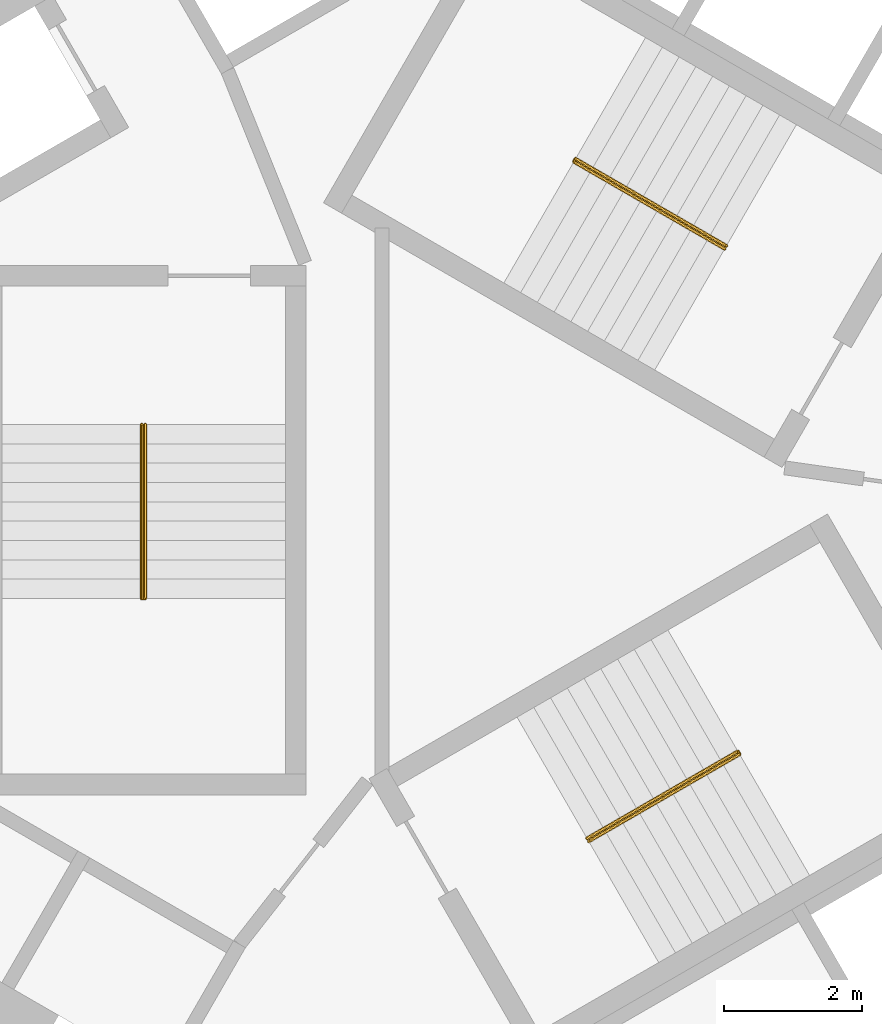
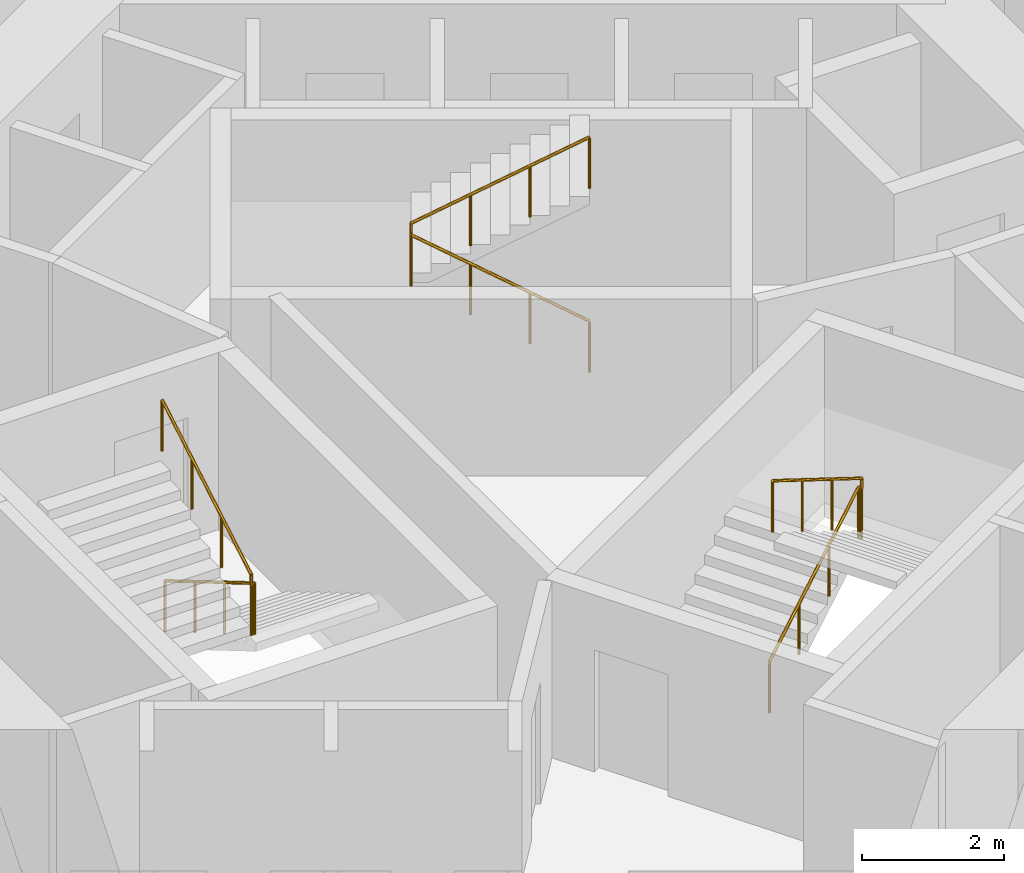
# One storey, part 12 of 12: 3 railings.
"""IFC4 building model written with IfcOpenShell, lengths in metres."""

import ifcopenshell
import ifcopenshell.guid

model = None  # the IFC model being written
_history = None  # IfcOwnerHistory: only IFC2X3 demands one
_inside = {}  # id of a spatial element -> (the spatial element, [elements in it])
_under = {}  # id of a project, library or spatial element -> (it, [spatial elements below it])
_declared = {}  # id of a project -> (the project, [libraries it declares])
_typed = {}  # id of a type object -> (the type object, [elements of that type])
_made_of = {}  # id of a material, layer set ... -> (it, [elements and type objects made of it])


def new_model(schema):
    """Start an empty IFC model of exactly this schema.

    Asked for "IFC4X3", IfcOpenShell would pick the latest addendum, in which some entities
    have other attributes; the version numbers below select the first issue.
    IFC2X3 requires an IfcOwnerHistory on every rooted entity: one is made here for all.
    """
    global model, _history
    if schema == "IFC4X3":
        model = ifcopenshell.file(schema_version=(4, 3, 0, 0))
    else:
        model = ifcopenshell.file(schema=schema)
    _inside.clear()
    _under.clear()
    _declared.clear()
    _typed.clear()
    _made_of.clear()
    _history = None
    if model.schema == "IFC2X3":
        org = make("IfcOrganization", Name="unknown")
        user = make(
            "IfcPersonAndOrganization",
            ThePerson=make("IfcPerson", FamilyName="unknown"),
            TheOrganization=org,
        )
        app = make(
            "IfcApplication",
            ApplicationDeveloper=org,
            Version="unknown",
            ApplicationFullName="unknown",
            ApplicationIdentifier="unknown",
        )
        _history = make(
            "IfcOwnerHistory",
            OwningUser=user,
            OwningApplication=app,
            ChangeAction="ADDED",
            CreationDate=0,
        )
    return model


def make(cls, **values):
    """One entity of the class cls with the attributes given. An attribute that is None is left unset."""
    return model.create_entity(
        cls, **{name: value for name, value in values.items() if value is not None}
    )


def rooted(cls, **values):
    """An entity with a GlobalId (a new one), such as an element, a storey or a relation."""
    return make(cls, GlobalId=ifcopenshell.guid.new(), OwnerHistory=_history, **values)


def si_unit(unit_type, name, prefix=None):
    """IfcSIUnit, for example si_unit("LENGTHUNIT", "METRE", prefix="MILLI")."""
    return make("IfcSIUnit", UnitType=unit_type, Prefix=prefix, Name=name)


def assignment(units):
    """IfcUnitAssignment: the units of a project."""
    return None if units is None else make("IfcUnitAssignment", Units=units)


def point(xyz):
    """IfcCartesianPoint."""
    return None if xyz is None else make("IfcCartesianPoint", Coordinates=xyz)


def direction(xyz):
    """IfcDirection."""
    return None if xyz is None else make("IfcDirection", DirectionRatios=xyz)


def frame(location, z_axis=None, x_axis=None):
    """IfcAxis2Placement3D, a coordinate frame: its origin and axes. An axis left out is left unset."""
    return make(
        "IfcAxis2Placement3D",
        Location=point(location),
        Axis=direction(z_axis),
        RefDirection=direction(x_axis),
    )


def frame_2d(location, x_axis=None):
    """IfcAxis2Placement2D, a coordinate frame in the plane: its origin and x axis."""
    return make(
        "IfcAxis2Placement2D", Location=point(location), RefDirection=direction(x_axis)
    )


def origin():
    """The frame at (0, 0, 0) with its axes left unset."""
    return frame((0.0, 0.0, 0.0))


def origin_2d():
    """The frame at (0, 0) in the plane with its x axis left unset."""
    return frame_2d((0.0, 0.0))


def place(relative_to, where):
    """IfcLocalPlacement: puts the frame where relative to a parent placement (None: the world)."""
    return make(
        "IfcLocalPlacement", PlacementRelTo=relative_to, RelativePlacement=where
    )


def context(
    kind, dimensions, precision=None, world=None, true_north=None, identifier=None
):
    """IfcGeometricRepresentationContext, for example the 3D "Model" context."""
    return make(
        "IfcGeometricRepresentationContext",
        ContextIdentifier=identifier,
        ContextType=kind,
        CoordinateSpaceDimension=dimensions,
        Precision=precision,
        WorldCoordinateSystem=world,
        TrueNorth=true_north,
    )


def subcontext(parent, identifier, kind, view, scale=None):
    """IfcGeometricRepresentationSubContext, for example "Body" below "Model"."""
    return make(
        "IfcGeometricRepresentationSubContext",
        ContextIdentifier=identifier,
        ContextType=kind,
        ParentContext=parent,
        TargetScale=scale,
        TargetView=view,
    )


def project(units=None, contexts=None):
    """IfcProject with its units and contexts."""
    return rooted(
        "IfcProject",
        Name="project",
        RepresentationContexts=contexts,
        UnitsInContext=assignment(units),
    )


def spatial(cls, under=None, at=None, **own):
    """A site, building, storey or space (cls), placed at a placement, below another one or the project."""
    s = rooted(cls, ObjectPlacement=at, **own)
    if under is not None:
        _under.setdefault(under.id(), (under, []))[1].append(s)
    return s


def profile(cls, at=None, kind="AREA", **sizes):
    """A parametric profile (cls). Its sizes go by their IFC names, for example OverallWidth=200.0."""
    return make(cls, ProfileType=kind, Position=at, **sizes)


def circle(**sizes):
    """IfcCircleProfileDef."""
    return profile("IfcCircleProfileDef", **sizes)


def extrude(swept, where, along, depth):
    """IfcExtrudedAreaSolid: the profile swept, set in the frame where, extruded along a direction by depth."""
    return make(
        "IfcExtrudedAreaSolid",
        SweptArea=swept,
        Position=where,
        ExtrudedDirection=direction(along),
        Depth=depth,
    )


def shape(context_of_items, identifier, shape_type, items):
    """IfcShapeRepresentation: the items that make up one representation, for example the "Body"."""
    return make(
        "IfcShapeRepresentation",
        ContextOfItems=context_of_items,
        RepresentationIdentifier=identifier,
        RepresentationType=shape_type,
        Items=items,
    )


def material(Name=None, Category=None):
    """IfcMaterial."""
    return make("IfcMaterial", Name=Name, Category=Category)


def made_of(thing, what):
    """Note that an element or type object is made of a material, layer set ...; save() writes the relation."""
    if what is not None:
        _made_of.setdefault(what.id(), (what, []))[1].append(thing)
    return thing


def type_object(cls, material=None, **own):
    """A type object (cls), such as IfcWallType, which elements share."""
    return made_of(rooted(cls, **own), material)


def element(
    cls,
    number,
    at=None,
    inside=None,
    cuts=None,
    type_object=None,
    material=None,
    context=None,
    identifier="Body",
    shape_type=None,
    held_by="IfcProductDefinitionShape",
    body=None,
    shapes=None,
    **own,
):
    """One element of the class cls, such as IfcWall. Its Tag is "e" and its number.

    at: its placement. inside: the storey or other place that contains it. cuts: it is an
    opening in that element (IfcRelVoidsElement). A single representation is given by context,
    identifier, shape_type and body (its items); several are given by shapes. held_by: the class
    of the entity that holds the representations. save() writes the other relations.
    """
    e = rooted(cls, Tag="e%d" % number, ObjectPlacement=at, **own)
    if body is not None:
        shapes = [shape(context, identifier, shape_type, body)]
    if shapes is not None:
        e.Representation = make(held_by, Representations=shapes)
    if inside is not None:
        _inside.setdefault(inside.id(), (inside, []))[1].append(e)
    if cuts is not None:
        rooted(
            "IfcRelVoidsElement", RelatingBuildingElement=cuts, RelatedOpeningElement=e
        )
    if type_object is not None:
        _typed.setdefault(type_object.id(), (type_object, []))[1].append(e)
    return made_of(e, material)


def aggregate(whole, parts):
    """IfcRelAggregates: a whole, such as a stair, and the parts it consists of."""
    return rooted("IfcRelAggregates", RelatingObject=whole, RelatedObjects=parts)


def save(model, path):
    """Write the relations noted so far, then the file.

    IfcRelAggregates (storeys below a building ...), IfcRelContainedInSpatialStructure (elements
    in a storey), IfcRelDefinesByType, IfcRelAssociatesMaterial and IfcRelDeclares: one each for
    every whole, place, type object, material and project.
    """
    for whole, parts in _under.values():
        aggregate(whole, parts)
    for where, things in _inside.values():
        rooted(
            "IfcRelContainedInSpatialStructure",
            RelatedElements=things,
            RelatingStructure=where,
        )
    for kind, things in _typed.values():
        rooted("IfcRelDefinesByType", RelatedObjects=things, RelatingType=kind)
    for what, things in _made_of.values():
        rooted("IfcRelAssociatesMaterial", RelatedObjects=things, RelatingMaterial=what)
    for by, libraries in _declared.values():
        rooted("IfcRelDeclares", RelatingContext=by, RelatedDefinitions=libraries)
    model.write(path)


model = new_model("IFC4")

# Units and contexts
model_context = context("Model", 3, precision=1e-05, world=origin(), true_north=direction((0.0, 1.0)))
body_context = subcontext(model_context, "Body", "Model", "MODEL_VIEW")
ifc_project = project(units=[si_unit("LENGTHUNIT", "METRE"), si_unit("AREAUNIT", "SQUARE_METRE"), si_unit("VOLUMEUNIT", "CUBIC_METRE"), si_unit("PLANEANGLEUNIT", "RADIAN"), si_unit("MASSUNIT", "GRAM", prefix="KILO")], contexts=[model_context])

# Site, building, storey
site_placement = place(None, origin())
site = spatial("IfcSite", under=ifc_project, at=site_placement, CompositionType="ELEMENT")
building_placement = place(site_placement, origin())
building = spatial("IfcBuilding", under=site, at=building_placement, Name="Vanh Sen Convention Tower", CompositionType="ELEMENT")
storey_placement = place(building_placement, frame((0.0, 0.0, 57.199951171875)))
storey = spatial("IfcBuildingStorey", under=building, at=storey_placement, Name="L11", CompositionType="ELEMENT", Elevation=57.199951171875)

# Railings
ifc_material = material(Name="Stainless steel handrail", Category="steel")
railing_type = type_object("IfcRailingType", Name="Stair handrail 900", PredefinedType="HANDRAIL", material=ifc_material)
railing_1_placement = place(storey_placement, frame((3.45849609375, 3.690185546875, 0.1650390625)))
element("IfcRailing", 1, at=railing_1_placement, inside=storey, type_object=railing_type, Name="Stair handrail ST1 L11", PredefinedType="HANDRAIL", context=body_context, shape_type="SweptSolid", body=[
    extrude(circle(Radius=0.02392578125, at=origin_2d()), frame((0.0, 0.0, 0.8759765625), z_axis=(-0.746134546661, 0.430738299252, 0.507688640642), x_axis=(-0.499962843328, -0.866046855136, 0.0)), (0.0, 0.0, 1.0), 2.92529296875),
    extrude(circle(Radius=0.02392578125, at=origin_2d()), frame((-2.1826171875, 1.260009765625, 2.36083984375), z_axis=(0.502959906984, 0.86430974307, 0.0), x_axis=(-0.86430974307, 0.502959906984, 0.0)), (0.0, 0.0, 1.0), 0.050048828125),
    extrude(circle(Radius=0.02392578125, at=origin_2d()), frame((-2.157470703125, 1.30322265625, 2.36083984375), z_axis=(0.0, 0.0, 1.0), x_axis=(1.0, 0.0, 0.0)), (0.0, 0.0, 1.0), 0.164794921875),
    extrude(circle(Radius=0.02392578125, at=origin_2d()), frame((-2.157470703125, 1.30322265625, 2.52587890625), z_axis=(0.746097546679, -0.430765123438, 0.507720256902), x_axis=(0.500004791531, 0.866022637375, 0.0)), (0.0, 0.0, 1.0), 2.925048828125),
    extrude(circle(Radius=0.02099609375, at=origin_2d()), origin(), (0.0, 0.0, 1.0), 0.851806640625),
    extrude(circle(Radius=0.02099609375, at=origin_2d()), frame((-0.7275390625, 0.419921875, 0.4951171875)), (0.0, 0.0, 1.0), 0.851806640625),
    extrude(circle(Radius=0.02099609375, at=origin_2d()), frame((-1.455078125, 0.840087890625, 0.989990234375)), (0.0, 0.0, 1.0), 0.851806640625),
    extrude(circle(Radius=0.02099609375, at=origin_2d()), frame((-2.1826171875, 1.260009765625, 1.485107421875)), (0.0, 0.0, 1.0), 0.851806640625),
    extrude(circle(Radius=0.02099609375, at=origin_2d()), frame((-2.157470703125, 1.30322265625, 1.485107421875)), (0.0, 0.0, 1.0), 0.851806640625),
    extrude(circle(Radius=0.02099609375, at=origin_2d()), frame((-2.157470703125, 1.30322265625, 1.64990234375)), (0.0, 0.0, 1.0), 0.851806640625),
    extrude(circle(Radius=0.02099609375, at=origin_2d()), frame((-1.429931640625, 0.88330078125, 2.14501953125)), (0.0, 0.0, 1.0), 0.851806640625),
    extrude(circle(Radius=0.02099609375, at=origin_2d()), frame((-0.70263671875, 0.463134765625, 2.639892578125)), (0.0, 0.0, 1.0), 0.851806640625),
    extrude(circle(Radius=0.02099609375, at=origin_2d()), frame((0.02490234375, 0.043212890625, 3.135009765625)), (0.0, 0.0, 1.0), 0.851806640625),
])
railing_2_placement = place(storey_placement, frame((-4.925048828125, 1.14990234375, 0.1650390625)))
element("IfcRailing", 2, at=railing_2_placement, inside=storey, type_object=railing_type, Name="Stair handrail ST2 L11", PredefinedType="HANDRAIL", context=body_context, shape_type="SweptSolid", body=[
    extrude(circle(Radius=0.02392578125, at=origin_2d()), frame((0.0, 0.0, 0.8759765625), z_axis=(0.0, -0.86152411907, 0.507716645641), x_axis=(1.0, 0.0, 0.0)), (0.0, 0.0, 1.0), 2.925048828125),
    extrude(circle(Radius=0.02392578125, at=origin_2d()), frame((0.0, -2.52001953125, 2.36083984375), z_axis=(-1.0, 0.0, 0.0), x_axis=(0.0, -1.0, 0.0)), (0.0, 0.0, 1.0), 0.050048828125),
    extrude(circle(Radius=0.02392578125, at=origin_2d()), frame((-0.050048828125, -2.52001953125, 2.36083984375), z_axis=(0.0, 0.0, 1.0), x_axis=(1.0, 0.0, 0.0)), (0.0, 0.0, 1.0), 0.164794921875),
    extrude(circle(Radius=0.02392578125, at=origin_2d()), frame((-0.050048828125, -2.52001953125, 2.52587890625), z_axis=(0.0, 0.86152411907, 0.507716645641), x_axis=(-1.0, 0.0, 0.0)), (0.0, 0.0, 1.0), 2.925048828125),
    extrude(circle(Radius=0.02099609375, at=origin_2d()), origin(), (0.0, 0.0, 1.0), 0.851806640625),
    extrude(circle(Radius=0.02099609375, at=origin_2d()), frame((0.0, -0.840087890625, 0.4951171875)), (0.0, 0.0, 1.0), 0.851806640625),
    extrude(circle(Radius=0.02099609375, at=origin_2d()), frame((0.0, -1.679931640625, 0.989990234375)), (0.0, 0.0, 1.0), 0.851806640625),
    extrude(circle(Radius=0.02099609375, at=origin_2d()), frame((0.0, -2.52001953125, 1.485107421875)), (0.0, 0.0, 1.0), 0.851806640625),
    extrude(circle(Radius=0.02099609375, at=origin_2d()), frame((-0.050048828125, -2.52001953125, 1.485107421875)), (0.0, 0.0, 1.0), 0.851806640625),
    extrude(circle(Radius=0.02099609375, at=origin_2d()), frame((-0.050048828125, -2.52001953125, 1.64990234375)), (0.0, 0.0, 1.0), 0.851806640625),
    extrude(circle(Radius=0.02099609375, at=origin_2d()), frame((-0.050048828125, -1.679931640625, 2.14501953125)), (0.0, 0.0, 1.0), 0.851806640625),
    extrude(circle(Radius=0.02099609375, at=origin_2d()), frame((-0.050048828125, -0.840087890625, 2.639892578125)), (0.0, 0.0, 1.0), 0.851806640625),
    extrude(circle(Radius=0.02099609375, at=origin_2d()), frame((-0.050048828125, 0.0, 3.135009765625)), (0.0, 0.0, 1.0), 0.851806640625),
])
railing_3_placement = place(storey_placement, frame((1.466552734375, -4.840087890625, 0.1650390625)))
element("IfcRailing", 3, at=railing_3_placement, inside=storey, type_object=railing_type, Name="Stair handrail ST3 L11", PredefinedType="HANDRAIL", context=body_context, shape_type="SweptSolid", body=[
    extrude(circle(Radius=0.02392578125, at=origin_2d()), frame((0.0, 0.0, 0.8759765625), z_axis=(0.746097546679, 0.430765123438, 0.507720256902), x_axis=(-0.500004791531, 0.866022637375, 0.0)), (0.0, 0.0, 1.0), 2.925048828125),
    extrude(circle(Radius=0.02392578125, at=origin_2d()), frame((2.182373046875, 1.260009765625, 2.36083984375), z_axis=(0.500844580232, -0.86553723574, 0.0), x_axis=(0.86553723574, 0.500844580232, 0.0)), (0.0, 0.0, 1.0), 0.05029296875),
    extrude(circle(Radius=0.02392578125, at=origin_2d()), frame((2.20751953125, 1.216552734375, 2.36083984375), z_axis=(0.0, 0.0, 1.0), x_axis=(1.0, 0.0, 0.0)), (0.0, 0.0, 1.0), 0.164794921875),
    extrude(circle(Radius=0.02392578125, at=origin_2d()), frame((2.20751953125, 1.216552734375, 2.52587890625), z_axis=(-0.746097546679, -0.430765123438, 0.507720256902), x_axis=(0.500004791531, -0.866022637375, 0.0)), (0.0, 0.0, 1.0), 2.925048828125),
    extrude(circle(Radius=0.02099609375, at=origin_2d()), origin(), (0.0, 0.0, 1.0), 0.851806640625),
    extrude(circle(Radius=0.02099609375, at=origin_2d()), frame((0.7275390625, 0.419921875, 0.4951171875)), (0.0, 0.0, 1.0), 0.851806640625),
    extrude(circle(Radius=0.02099609375, at=origin_2d()), frame((1.454833984375, 0.840087890625, 0.989990234375)), (0.0, 0.0, 1.0), 0.851806640625),
    extrude(circle(Radius=0.02099609375, at=origin_2d()), frame((2.182373046875, 1.260009765625, 1.485107421875)), (0.0, 0.0, 1.0), 0.851806640625),
    extrude(circle(Radius=0.02099609375, at=origin_2d()), frame((2.20751953125, 1.216552734375, 1.485107421875)), (0.0, 0.0, 1.0), 0.851806640625),
    extrude(circle(Radius=0.02099609375, at=origin_2d()), frame((2.20751953125, 1.216552734375, 1.64990234375)), (0.0, 0.0, 1.0), 0.851806640625),
    extrude(circle(Radius=0.02099609375, at=origin_2d()), frame((1.47998046875, 0.796630859375, 2.14501953125)), (0.0, 0.0, 1.0), 0.851806640625),
    extrude(circle(Radius=0.02099609375, at=origin_2d()), frame((0.752685546875, 0.37646484375, 2.639892578125)), (0.0, 0.0, 1.0), 0.851806640625),
    extrude(circle(Radius=0.02099609375, at=origin_2d()), frame((0.025146484375, -0.04345703125, 3.135009765625)), (0.0, 0.0, 1.0), 0.851806640625),
])

save(model, "model.ifc")
